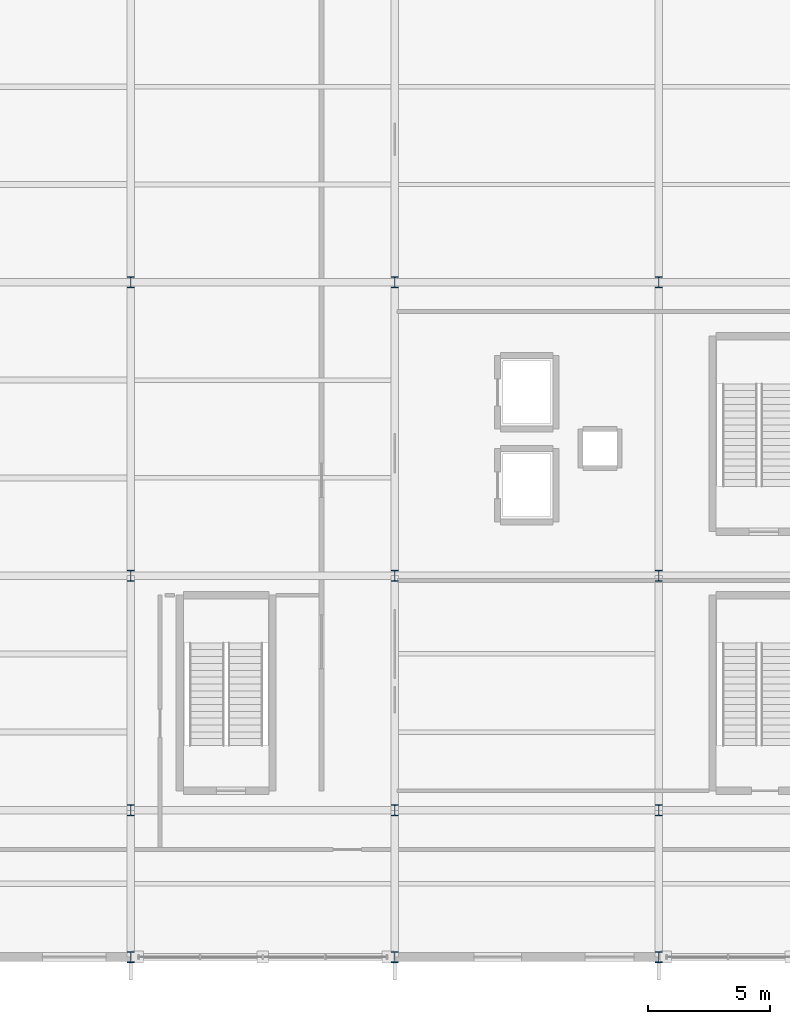
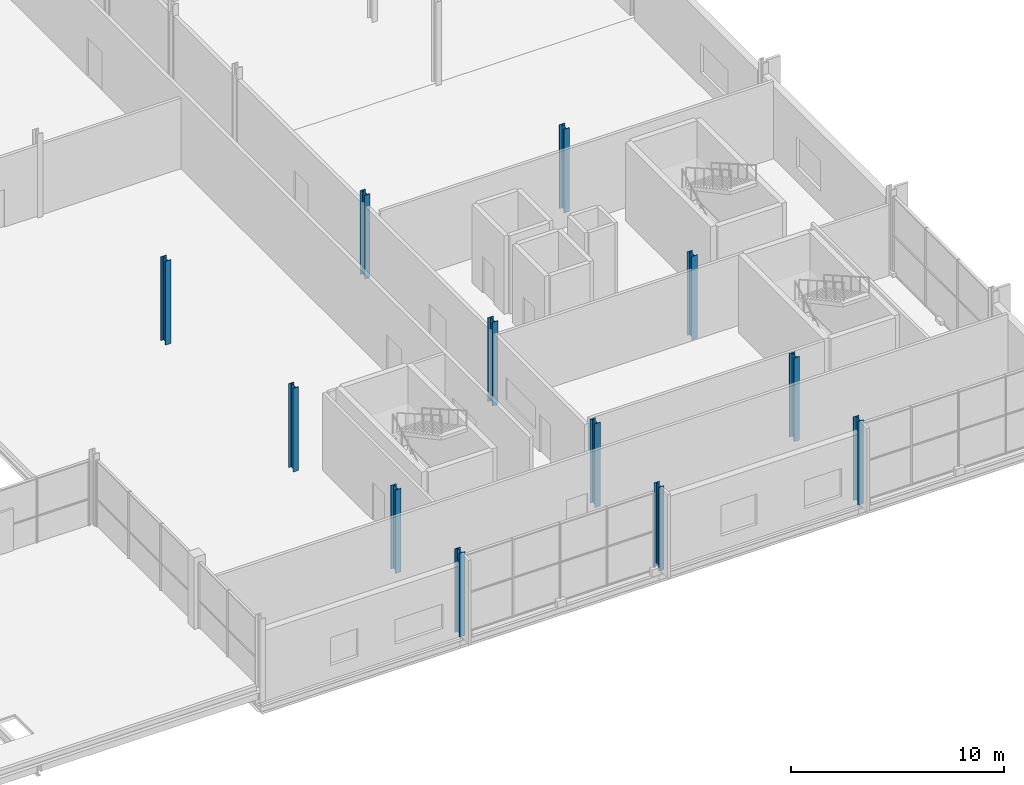
# One storey, part 17 of 159: 12 columns.
"""IFC4 building model written with IfcOpenShell, lengths in metres."""

import ifcopenshell
import ifcopenshell.guid

model = None  # the IFC model being written
_history = None  # IfcOwnerHistory: only IFC2X3 demands one
_inside = {}  # id of a spatial element -> (the spatial element, [elements in it])
_under = {}  # id of a project, library or spatial element -> (it, [spatial elements below it])
_declared = {}  # id of a project -> (the project, [libraries it declares])
_typed = {}  # id of a type object -> (the type object, [elements of that type])
_made_of = {}  # id of a material, layer set ... -> (it, [elements and type objects made of it])


def new_model(schema):
    """Start an empty IFC model of exactly this schema.

    Asked for "IFC4X3", IfcOpenShell would pick the latest addendum, in which some entities
    have other attributes; the version numbers below select the first issue.
    IFC2X3 requires an IfcOwnerHistory on every rooted entity: one is made here for all.
    """
    global model, _history
    if schema == "IFC4X3":
        model = ifcopenshell.file(schema_version=(4, 3, 0, 0))
    else:
        model = ifcopenshell.file(schema=schema)
    _inside.clear()
    _under.clear()
    _declared.clear()
    _typed.clear()
    _made_of.clear()
    _history = None
    if model.schema == "IFC2X3":
        org = make("IfcOrganization", Name="unknown")
        user = make(
            "IfcPersonAndOrganization",
            ThePerson=make("IfcPerson", FamilyName="unknown"),
            TheOrganization=org,
        )
        app = make(
            "IfcApplication",
            ApplicationDeveloper=org,
            Version="unknown",
            ApplicationFullName="unknown",
            ApplicationIdentifier="unknown",
        )
        _history = make(
            "IfcOwnerHistory",
            OwningUser=user,
            OwningApplication=app,
            ChangeAction="ADDED",
            CreationDate=0,
        )
    return model


def make(cls, **values):
    """One entity of the class cls with the attributes given. An attribute that is None is left unset."""
    return model.create_entity(
        cls, **{name: value for name, value in values.items() if value is not None}
    )


def rooted(cls, **values):
    """An entity with a GlobalId (a new one), such as an element, a storey or a relation."""
    return make(cls, GlobalId=ifcopenshell.guid.new(), OwnerHistory=_history, **values)


def si_unit(unit_type, name, prefix=None):
    """IfcSIUnit, for example si_unit("LENGTHUNIT", "METRE", prefix="MILLI")."""
    return make("IfcSIUnit", UnitType=unit_type, Prefix=prefix, Name=name)


def assignment(units):
    """IfcUnitAssignment: the units of a project."""
    return None if units is None else make("IfcUnitAssignment", Units=units)


def point(xyz):
    """IfcCartesianPoint."""
    return None if xyz is None else make("IfcCartesianPoint", Coordinates=xyz)


def direction(xyz):
    """IfcDirection."""
    return None if xyz is None else make("IfcDirection", DirectionRatios=xyz)


def frame(location, z_axis=None, x_axis=None):
    """IfcAxis2Placement3D, a coordinate frame: its origin and axes. An axis left out is left unset."""
    return make(
        "IfcAxis2Placement3D",
        Location=point(location),
        Axis=direction(z_axis),
        RefDirection=direction(x_axis),
    )


def frame_2d(location, x_axis=None):
    """IfcAxis2Placement2D, a coordinate frame in the plane: its origin and x axis."""
    return make(
        "IfcAxis2Placement2D", Location=point(location), RefDirection=direction(x_axis)
    )


def origin():
    """The frame at (0, 0, 0) with its axes left unset."""
    return frame((0.0, 0.0, 0.0))


def origin_2d():
    """The frame at (0, 0) in the plane with its x axis left unset."""
    return frame_2d((0.0, 0.0))


def place(relative_to, where):
    """IfcLocalPlacement: puts the frame where relative to a parent placement (None: the world)."""
    return make(
        "IfcLocalPlacement", PlacementRelTo=relative_to, RelativePlacement=where
    )


def context(
    kind, dimensions, precision=None, world=None, true_north=None, identifier=None
):
    """IfcGeometricRepresentationContext, for example the 3D "Model" context."""
    return make(
        "IfcGeometricRepresentationContext",
        ContextIdentifier=identifier,
        ContextType=kind,
        CoordinateSpaceDimension=dimensions,
        Precision=precision,
        WorldCoordinateSystem=world,
        TrueNorth=true_north,
    )


def subcontext(parent, identifier, kind, view, scale=None):
    """IfcGeometricRepresentationSubContext, for example "Body" below "Model"."""
    return make(
        "IfcGeometricRepresentationSubContext",
        ContextIdentifier=identifier,
        ContextType=kind,
        ParentContext=parent,
        TargetScale=scale,
        TargetView=view,
    )


def project(units=None, contexts=None):
    """IfcProject with its units and contexts."""
    return rooted(
        "IfcProject",
        Name="project",
        RepresentationContexts=contexts,
        UnitsInContext=assignment(units),
    )


def spatial(cls, under=None, at=None, **own):
    """A site, building, storey or space (cls), placed at a placement, below another one or the project."""
    s = rooted(cls, ObjectPlacement=at, **own)
    if under is not None:
        _under.setdefault(under.id(), (under, []))[1].append(s)
    return s


def profile(cls, at=None, kind="AREA", **sizes):
    """A parametric profile (cls). Its sizes go by their IFC names, for example OverallWidth=200.0."""
    return make(cls, ProfileType=kind, Position=at, **sizes)


def i_section(**sizes):
    """IfcIShapeProfileDef."""
    return profile("IfcIShapeProfileDef", **sizes)


def extrude(swept, where, along, depth):
    """IfcExtrudedAreaSolid: the profile swept, set in the frame where, extruded along a direction by depth."""
    return make(
        "IfcExtrudedAreaSolid",
        SweptArea=swept,
        Position=where,
        ExtrudedDirection=direction(along),
        Depth=depth,
    )


def shape(context_of_items, identifier, shape_type, items):
    """IfcShapeRepresentation: the items that make up one representation, for example the "Body"."""
    return make(
        "IfcShapeRepresentation",
        ContextOfItems=context_of_items,
        RepresentationIdentifier=identifier,
        RepresentationType=shape_type,
        Items=items,
    )


def material(Name=None, Category=None):
    """IfcMaterial."""
    return make("IfcMaterial", Name=Name, Category=Category)


def material_profile(
    of_material, cross_section, Name=None, Category=None, Priority=None
):
    """IfcMaterialProfile: a cross section and its material."""
    return make(
        "IfcMaterialProfile",
        Name=Name,
        Material=of_material,
        Profile=cross_section,
        Priority=Priority,
        Category=Category,
    )


def profile_set(profiles, Name=None, composite=None):
    """IfcMaterialProfileSet."""
    return make(
        "IfcMaterialProfileSet",
        Name=Name,
        MaterialProfiles=profiles,
        CompositeProfile=composite,
    )


def made_of(thing, what):
    """Note that an element or type object is made of a material, layer set ...; save() writes the relation."""
    if what is not None:
        _made_of.setdefault(what.id(), (what, []))[1].append(thing)
    return thing


def type_object(cls, material=None, **own):
    """A type object (cls), such as IfcWallType, which elements share."""
    return made_of(rooted(cls, **own), material)


def element(
    cls,
    number,
    at=None,
    inside=None,
    cuts=None,
    type_object=None,
    material=None,
    context=None,
    identifier="Body",
    shape_type=None,
    held_by="IfcProductDefinitionShape",
    body=None,
    shapes=None,
    **own,
):
    """One element of the class cls, such as IfcWall. Its Tag is "e" and its number.

    at: its placement. inside: the storey or other place that contains it. cuts: it is an
    opening in that element (IfcRelVoidsElement). A single representation is given by context,
    identifier, shape_type and body (its items); several are given by shapes. held_by: the class
    of the entity that holds the representations. save() writes the other relations.
    """
    e = rooted(cls, Tag="e%d" % number, ObjectPlacement=at, **own)
    if body is not None:
        shapes = [shape(context, identifier, shape_type, body)]
    if shapes is not None:
        e.Representation = make(held_by, Representations=shapes)
    if inside is not None:
        _inside.setdefault(inside.id(), (inside, []))[1].append(e)
    if cuts is not None:
        rooted(
            "IfcRelVoidsElement", RelatingBuildingElement=cuts, RelatedOpeningElement=e
        )
    if type_object is not None:
        _typed.setdefault(type_object.id(), (type_object, []))[1].append(e)
    return made_of(e, material)


def aggregate(whole, parts):
    """IfcRelAggregates: a whole, such as a stair, and the parts it consists of."""
    return rooted("IfcRelAggregates", RelatingObject=whole, RelatedObjects=parts)


def save(model, path):
    """Write the relations noted so far, then the file.

    IfcRelAggregates (storeys below a building ...), IfcRelContainedInSpatialStructure (elements
    in a storey), IfcRelDefinesByType, IfcRelAssociatesMaterial and IfcRelDeclares: one each for
    every whole, place, type object, material and project.
    """
    for whole, parts in _under.values():
        aggregate(whole, parts)
    for where, things in _inside.values():
        rooted(
            "IfcRelContainedInSpatialStructure",
            RelatedElements=things,
            RelatingStructure=where,
        )
    for kind, things in _typed.values():
        rooted("IfcRelDefinesByType", RelatedObjects=things, RelatingType=kind)
    for what, things in _made_of.values():
        rooted("IfcRelAssociatesMaterial", RelatedObjects=things, RelatingMaterial=what)
    for by, libraries in _declared.values():
        rooted("IfcRelDeclares", RelatingContext=by, RelatedDefinitions=libraries)
    model.write(path)


model = new_model("IFC4")

# Units and contexts
model_context = context("Model", 3, precision=1e-05, world=origin(), true_north=direction((0.0, 1.0)))
body_context = subcontext(model_context, "Body", "Model", "MODEL_VIEW")
ifc_project = project(units=[si_unit("LENGTHUNIT", "METRE"), si_unit("AREAUNIT", "SQUARE_METRE"), si_unit("VOLUMEUNIT", "CUBIC_METRE"), si_unit("PLANEANGLEUNIT", "RADIAN"), si_unit("MASSUNIT", "GRAM", prefix="KILO")], contexts=[model_context])

# Site, building, storey
site_placement = place(None, origin())
site = spatial("IfcSite", under=ifc_project, at=site_placement, CompositionType="ELEMENT")
building_placement = place(site_placement, origin())
building = spatial("IfcBuilding", under=site, at=building_placement, Name="Merenkruunu Market Hall", CompositionType="ELEMENT")
storey_placement = place(building_placement, frame((0.0, 0.0, 5.39990234375)))
storey = spatial("IfcBuildingStorey", under=building, at=storey_placement, Name="L01", CompositionType="ELEMENT", Elevation=5.39990234375)

# Columns
ifc_material = material(Name="Steel S355J2", Category="steel")
ifc_material_profile = material_profile(ifc_material, i_section(OverallWidth=0.300048828125, OverallDepth=0.449951171875, WebThickness=0.013916015625, FlangeThickness=0.02587890625, FilletRadius=0.027099609375, at=origin_2d()), Name="HEB 450")
ifc_profile_set = profile_set([ifc_material_profile], Name="Steel S355J2")
column_type = type_object("IfcColumnType", Name="Structural Column C03", PredefinedType="COLUMN", material=ifc_profile_set)
for number, where, z_axis, x_axis, name in (
    (1, (159.60009765625, 0.0, 0.0), (0.0, 0.0, 1.0), (1.0, 0.0, 0.0), "COL-L01-R-01"),
    (2, (159.60009765625, 6.0, 0.0), (0.0, 0.0, 1.0), (1.0, 0.0, 0.0), "COL-L01-R-02"),
    (3, (159.60009765625, 15.60009765625, 0.0), (0.0, 0.0, 1.0), (1.0, 0.0, 0.0), "COL-L01-R-03"),
    (4, (159.60009765625, 27.60009765625, 0.0), (0.0, 0.0, 1.0), (1.0, 0.0, 0.0), "COL-L01-R-04"),
    (5, (170.39990234375, 0.0, 0.0), (0.0, 0.0, 1.0), (1.0, 0.0, 0.0), "COL-L01-S-01"),
    (6, (170.39990234375, 6.0, 0.0), (0.0, 0.0, 1.0), (1.0, 0.0, 0.0), "COL-L01-S-02"),
    (7, (170.39990234375, 15.60009765625, 0.0), (0.0, 0.0, 1.0), (1.0, 0.0, 0.0), "COL-L01-S-03"),
    (8, (170.39990234375, 27.60009765625, 0.0), (0.0, 0.0, 1.0), (1.0, 0.0, 0.0), "COL-L01-S-04"),
    (9, (181.199951171875, 0.0, 0.0), (0.0, 0.0, 1.0), (1.0, 0.0, 0.0), "COL-L01-T-01"),
    (10, (181.199951171875, 6.0, 0.0), (0.0, 0.0, 1.0), (1.0, 0.0, 0.0), "COL-L01-T-02"),
    (11, (181.199951171875, 15.60009765625, 0.0), (0.0, 0.0, 1.0), (1.0, 0.0, 0.0), "COL-L01-T-03"),
    (12, (181.199951171875, 27.60009765625, 0.0), (0.0, 0.0, 1.0), (1.0, 0.0, 0.0), "COL-L01-T-04"),
):
    element("IfcColumn", number, at=place(storey_placement, frame(where, z_axis=z_axis, x_axis=x_axis)), inside=storey, type_object=column_type, Name=name, PredefinedType="COLUMN", context=body_context, shape_type="SweptSolid", body=[
        extrude(i_section(OverallWidth=0.300048828125, OverallDepth=0.449951171875, WebThickness=0.013916015625, FlangeThickness=0.02587890625, FilletRadius=0.027099609375, at=origin_2d()), origin(), (0.0, 0.0, 1.0), 4.800048828125),
    ])

save(model, "model.ifc")
